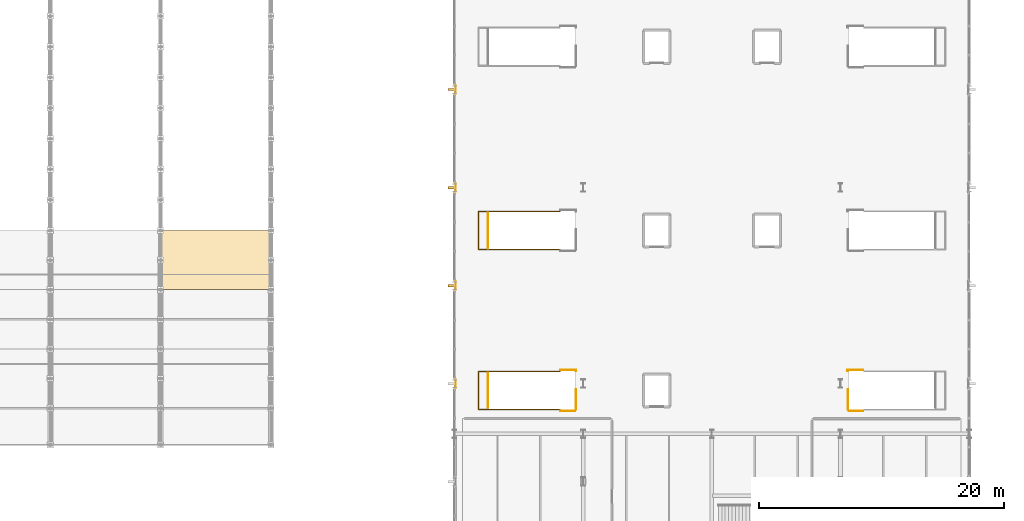
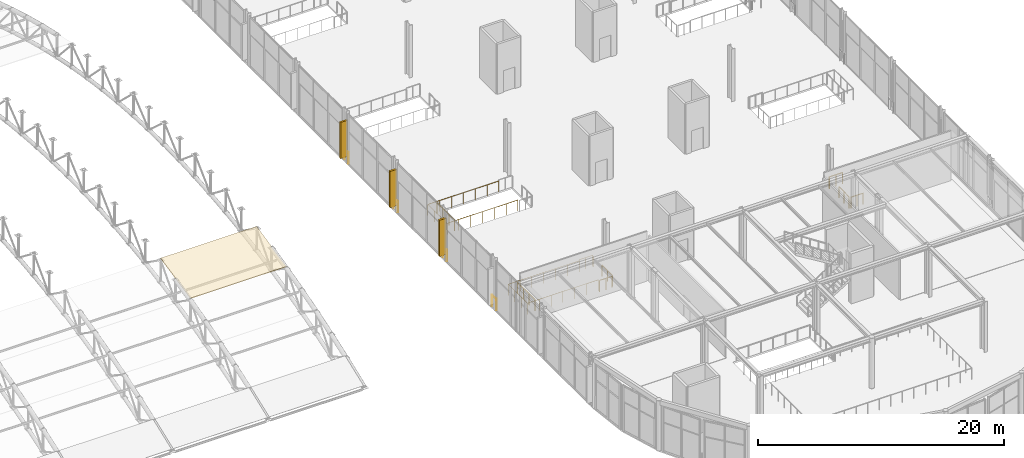
# One storey, part 174 of 195: 14 railings, 3 shading devices, 1 covering.
"""IFC4 building model written with IfcOpenShell, lengths in metres."""

from ifc_helpers import new_model, si_unit, direction, frame, origin, origin_2d, place, context, subcontext, project, spatial, polyline, rectangle, circle, outline, extrude, material, layer, layer_set, type_object, element, save


model = new_model("IFC4")

# Units and contexts
model_context = context("Model", 3, precision=1e-05, world=origin(), true_north=direction((0.0, 1.0)))
body_context = subcontext(model_context, "Body", "Model", "MODEL_VIEW")
ifc_project = project(units=[si_unit("LENGTHUNIT", "METRE"), si_unit("AREAUNIT", "SQUARE_METRE"), si_unit("VOLUMEUNIT", "CUBIC_METRE"), si_unit("PLANEANGLEUNIT", "RADIAN"), si_unit("MASSUNIT", "GRAM", prefix="KILO")], contexts=[model_context])

# Site, building, storey
site_placement = place(None, origin())
site = spatial("IfcSite", under=ifc_project, at=site_placement, CompositionType="ELEMENT")
building_placement = place(site_placement, origin())
building = spatial("IfcBuilding", under=site, at=building_placement, Name="Marlcrest Central Station", CompositionType="ELEMENT")
storey_placement = place(building_placement, frame((0.0, 0.0, 9.800048828125)))
storey = spatial("IfcBuildingStorey", under=building, at=storey_placement, Name="L02", CompositionType="ELEMENT", Elevation=9.800048828125)

# Covering
ifc_material_1 = material(Name="Standing-seam marine-coated aluminium roofing", Category="aluminium")
ifc_layer = layer(ifc_material_1, 0.06494140625, Name="CV-RF2")
ifc_layer_set = layer_set([ifc_layer], Name="Standing-seam marine-coated aluminium roofing")
covering_type = type_object("IfcCoveringType", Name="CV-RF2", PredefinedType="ROOFING", material=ifc_layer_set)
covering_placement = place(storey_placement, frame((63.0, 46.169921875, 4.760009765625), z_axis=(0.0, -0.211209052667, 0.977440911806), x_axis=(1.0, 0.0, 0.0)))
element("IfcCovering", 1, at=covering_placement, inside=storey, type_object=covering_type, Name="cov-shed-0106", PredefinedType="ROOFING", context=body_context, shape_type="SweptSolid", body=[
    extrude(outline(polyline([(0.0, 0.0), (9.0, 0.0), (9.0, 4.941555102371799), (0.0, 4.941555102371799), (0.0, 0.0)])), origin(), (0.0, 0.0, -1.0), 0.06494140625),
])

# Railings
ifc_material_2 = material(Name="Stainless steel and laminated glass concourse balustrade", Category="steel")
railing_type = type_object("IfcRailingType", Name="GR-02", PredefinedType="BALUSTRADE", material=ifc_material_2)
railing_1_placement = place(storey_placement, frame((95.60009765625, 36.39990234375, 0.0)))
element("IfcRailing", 2, at=railing_1_placement, inside=storey, type_object=railing_type, Name="grd-L02-0008", PredefinedType="BALUSTRADE", context=body_context, shape_type="SweptSolid", body=[
    extrude(circle(Radius=0.02392578125, at=origin_2d()), frame((0.0, 0.0, 1.09619140625), z_axis=(-1.0, 0.0, 0.0), x_axis=(0.0, -1.0, 0.0)), (0.0, 0.0, 1.0), 6.650146484375),
    extrude(circle(Radius=0.02392578125, at=origin_2d()), frame((-6.650146484375, 0.0, 1.09619140625), z_axis=(0.0, 1.0, 0.0), x_axis=(-1.0, 0.0, 0.0)), (0.0, 0.0, 1.0), 3.10009765625),
    extrude(circle(Radius=0.02392578125, at=origin_2d()), frame((-6.650146484375, 3.10009765625, 1.09619140625), z_axis=(1.0, 0.0, 0.0), x_axis=(0.0, 1.0, 0.0)), (0.0, 0.0, 1.0), 6.650146484375),
    extrude(circle(Radius=0.02099609375, at=origin_2d()), origin(), (0.0, 0.0, 1.0), 1.072021484375),
    extrude(circle(Radius=0.02099609375, at=origin_2d()), frame((-1.1083984375, 0.0, 0.0)), (0.0, 0.0, 1.0), 1.072021484375),
    extrude(circle(Radius=0.02099609375, at=origin_2d()), frame((-2.216796875, 0.0, 0.0)), (0.0, 0.0, 1.0), 1.072021484375),
    extrude(circle(Radius=0.02099609375, at=origin_2d()), frame((-3.3251953125, 0.0, 0.0)), (0.0, 0.0, 1.0), 1.072021484375),
    extrude(circle(Radius=0.02099609375, at=origin_2d()), frame((-4.433349609375, 0.0, 0.0)), (0.0, 0.0, 1.0), 1.072021484375),
    extrude(circle(Radius=0.02099609375, at=origin_2d()), frame((-5.541748046875, 0.0, 0.0)), (0.0, 0.0, 1.0), 1.072021484375),
    extrude(circle(Radius=0.02099609375, at=origin_2d()), frame((-6.650146484375, 0.0, 0.0)), (0.0, 0.0, 1.0), 1.072021484375),
    extrude(circle(Radius=0.02099609375, at=origin_2d()), frame((-6.650146484375, 1.033447265625, 0.0)), (0.0, 0.0, 1.0), 1.072021484375),
    extrude(circle(Radius=0.02099609375, at=origin_2d()), frame((-6.650146484375, 2.066650390625, 0.0)), (0.0, 0.0, 1.0), 1.072021484375),
    extrude(circle(Radius=0.02099609375, at=origin_2d()), frame((-6.650146484375, 3.10009765625, 0.0)), (0.0, 0.0, 1.0), 1.072021484375),
    extrude(circle(Radius=0.02099609375, at=origin_2d()), frame((-5.541748046875, 3.10009765625, 0.0)), (0.0, 0.0, 1.0), 1.072021484375),
    extrude(circle(Radius=0.02099609375, at=origin_2d()), frame((-4.433349609375, 3.10009765625, 0.0)), (0.0, 0.0, 1.0), 1.072021484375),
    extrude(circle(Radius=0.02099609375, at=origin_2d()), frame((-3.3251953125, 3.10009765625, 0.0)), (0.0, 0.0, 1.0), 1.072021484375),
    extrude(circle(Radius=0.02099609375, at=origin_2d()), frame((-2.216796875, 3.10009765625, 0.0)), (0.0, 0.0, 1.0), 1.072021484375),
    extrude(circle(Radius=0.02099609375, at=origin_2d()), frame((-1.1083984375, 3.10009765625, 0.0)), (0.0, 0.0, 1.0), 1.072021484375),
    extrude(circle(Radius=0.02099609375, at=origin_2d()), frame((0.0, 3.10009765625, 0.0)), (0.0, 0.0, 1.0), 1.072021484375),
])
railing_2_placement = place(storey_placement, frame((95.60009765625, 49.449951171875, 0.0)))
element("IfcRailing", 3, at=railing_2_placement, inside=storey, type_object=railing_type, Name="grd-L02-0010", PredefinedType="BALUSTRADE", context=body_context, shape_type="SweptSolid", body=[
    extrude(circle(Radius=0.02392578125, at=origin_2d()), frame((0.0, 0.0, 1.09619140625), z_axis=(-1.0, 0.0, 0.0), x_axis=(0.0, -1.0, 0.0)), (0.0, 0.0, 1.0), 6.650146484375),
    extrude(circle(Radius=0.02392578125, at=origin_2d()), frame((-6.650146484375, 0.0, 1.09619140625), z_axis=(0.0, 1.0, 0.0), x_axis=(-1.0, 0.0, 0.0)), (0.0, 0.0, 1.0), 3.10009765625),
    extrude(circle(Radius=0.02392578125, at=origin_2d()), frame((-6.650146484375, 3.10009765625, 1.09619140625), z_axis=(1.0, 0.0, 0.0), x_axis=(0.0, 1.0, 0.0)), (0.0, 0.0, 1.0), 6.650146484375),
    extrude(circle(Radius=0.02099609375, at=origin_2d()), origin(), (0.0, 0.0, 1.0), 1.072021484375),
    extrude(circle(Radius=0.02099609375, at=origin_2d()), frame((-1.1083984375, 0.0, 0.0)), (0.0, 0.0, 1.0), 1.072021484375),
    extrude(circle(Radius=0.02099609375, at=origin_2d()), frame((-2.216796875, 0.0, 0.0)), (0.0, 0.0, 1.0), 1.072021484375),
    extrude(circle(Radius=0.02099609375, at=origin_2d()), frame((-3.3251953125, 0.0, 0.0)), (0.0, 0.0, 1.0), 1.072021484375),
    extrude(circle(Radius=0.02099609375, at=origin_2d()), frame((-4.433349609375, 0.0, 0.0)), (0.0, 0.0, 1.0), 1.072021484375),
    extrude(circle(Radius=0.02099609375, at=origin_2d()), frame((-5.541748046875, 0.0, 0.0)), (0.0, 0.0, 1.0), 1.072021484375),
    extrude(circle(Radius=0.02099609375, at=origin_2d()), frame((-6.650146484375, 0.0, 0.0)), (0.0, 0.0, 1.0), 1.072021484375),
    extrude(circle(Radius=0.02099609375, at=origin_2d()), frame((-6.650146484375, 1.033447265625, 0.0)), (0.0, 0.0, 1.0), 1.072021484375),
    extrude(circle(Radius=0.02099609375, at=origin_2d()), frame((-6.650146484375, 2.066650390625, 0.0)), (0.0, 0.0, 1.0), 1.072021484375),
    extrude(circle(Radius=0.02099609375, at=origin_2d()), frame((-6.650146484375, 3.10009765625, 0.0)), (0.0, 0.0, 1.0), 1.072021484375),
    extrude(circle(Radius=0.02099609375, at=origin_2d()), frame((-5.541748046875, 3.10009765625, 0.0)), (0.0, 0.0, 1.0), 1.072021484375),
    extrude(circle(Radius=0.02099609375, at=origin_2d()), frame((-4.433349609375, 3.10009765625, 0.0)), (0.0, 0.0, 1.0), 1.072021484375),
    extrude(circle(Radius=0.02099609375, at=origin_2d()), frame((-3.3251953125, 3.10009765625, 0.0)), (0.0, 0.0, 1.0), 1.072021484375),
    extrude(circle(Radius=0.02099609375, at=origin_2d()), frame((-2.216796875, 3.10009765625, 0.0)), (0.0, 0.0, 1.0), 1.072021484375),
    extrude(circle(Radius=0.02099609375, at=origin_2d()), frame((-1.1083984375, 3.10009765625, 0.0)), (0.0, 0.0, 1.0), 1.072021484375),
    extrude(circle(Radius=0.02099609375, at=origin_2d()), frame((0.0, 3.10009765625, 0.0)), (0.0, 0.0, 1.0), 1.072021484375),
])
for number, where, name in (
    (4, (96.89990234375, 36.3798828125, 0.0), "hr-L02-00017"),
    (5, (119.10009765625, 36.3798828125, 0.0), "hr-L02-00034"),
):
    element("IfcRailing", number, at=place(storey_placement, frame(where)), inside=storey, type_object=railing_type, Name=name, PredefinedType="BALUSTRADE", context=body_context, shape_type="SweptSolid", body=[
        extrude(circle(Radius=0.02392578125, at=origin_2d()), frame((0.0, 0.0, 1.09619140625), z_axis=(0.0, 1.0, 0.0), x_axis=(-1.0, 0.0, 0.0)), (0.0, 0.0, 1.0), 1.650146484375),
        extrude(circle(Radius=0.02099609375, at=origin_2d()), origin(), (0.0, 0.0, 1.0), 1.072021484375),
        extrude(circle(Radius=0.02099609375, at=origin_2d()), frame((0.0, 0.8251953125, 0.0)), (0.0, 0.0, 1.0), 1.072021484375),
        extrude(circle(Radius=0.02099609375, at=origin_2d()), frame((0.0, 1.650146484375, 0.0)), (0.0, 0.0, 1.0), 1.072021484375),
    ])
for number, where, name in (
    (6, (87.06005859375, 38.159912109375, 0.0), "hr-L02-00475"),
    (7, (87.06005859375, 46.159912109375, 0.0), "hr-L02-00476"),
    (8, (87.06005859375, 54.159912109375, 0.0), "hr-L02-00477"),
    (9, (87.06005859375, 62.159912109375, 0.0), "hr-L02-00478"),
):
    element("IfcRailing", number, at=place(storey_placement, frame(where)), inside=storey, type_object=railing_type, Name=name, PredefinedType="BALUSTRADE", context=body_context, shape_type="SweptSolid", body=[
        extrude(circle(Radius=0.02392578125, at=origin_2d()), frame((0.0, 0.0, 1.09619140625), z_axis=(0.0, 1.0, 0.0), x_axis=(-1.0, 0.0, 0.0)), (0.0, 0.0, 1.0), 0.68017578125),
        extrude(circle(Radius=0.02099609375, at=origin_2d()), origin(), (0.0, 0.0, 1.0), 1.072021484375),
        extrude(circle(Radius=0.02099609375, at=origin_2d()), frame((0.0, 0.68017578125, 0.0)), (0.0, 0.0, 1.0), 1.072021484375),
    ])
railing_3_placement = place(storey_placement, frame((119.18603515625, 36.27001953125, 0.0)))
element("IfcRailing", 10, at=railing_3_placement, inside=storey, type_object=railing_type, Name="hr-L02-00540", PredefinedType="BALUSTRADE", context=body_context, shape_type="SweptSolid", body=[
    extrude(circle(Radius=0.02392578125, at=origin_2d()), frame((0.0, 0.0, 1.09619140625), z_axis=(1.0, 0.0, 0.0), x_axis=(0.0, 1.0, 0.0)), (0.0, 0.0, 1.0), 1.161865234375),
    extrude(circle(Radius=0.02099609375, at=origin_2d()), origin(), (0.0, 0.0, 1.0), 1.072021484375),
    extrude(circle(Radius=0.02099609375, at=origin_2d()), frame((0.5810546875, 0.0, 0.0)), (0.0, 0.0, 1.0), 1.072021484375),
    extrude(circle(Radius=0.02099609375, at=origin_2d()), frame((1.161865234375, 0.0, 0.0)), (0.0, 0.0, 1.0), 1.072021484375),
])
railing_4_placement = place(storey_placement, frame((120.347900390625, 39.6298828125, 0.0)))
element("IfcRailing", 11, at=railing_4_placement, inside=storey, type_object=railing_type, Name="hr-L02-00542", PredefinedType="BALUSTRADE", context=body_context, shape_type="SweptSolid", body=[
    extrude(circle(Radius=0.02392578125, at=origin_2d()), frame((0.0, 0.0, 1.09619140625), z_axis=(-1.0, 0.0, 0.0), x_axis=(0.0, -1.0, 0.0)), (0.0, 0.0, 1.0), 1.2578125),
    extrude(circle(Radius=0.02392578125, at=origin_2d()), frame((-1.2578125, 0.0, 1.09619140625), z_axis=(0.0, -1.0, 0.0), x_axis=(1.0, 0.0, 0.0)), (0.0, 0.0, 1.0), 0.10986328125),
    extrude(circle(Radius=0.02099609375, at=origin_2d()), origin(), (0.0, 0.0, 1.0), 1.072021484375),
    extrude(circle(Radius=0.02099609375, at=origin_2d()), frame((-0.62890625, 0.0, 0.0)), (0.0, 0.0, 1.0), 1.072021484375),
    extrude(circle(Radius=0.02099609375, at=origin_2d()), frame((-1.2578125, 0.0, 0.0)), (0.0, 0.0, 1.0), 1.072021484375),
    extrude(circle(Radius=0.02099609375, at=origin_2d()), frame((-1.2578125, -0.10986328125, 0.0)), (0.0, 0.0, 1.0), 1.072021484375),
])
railing_5_placement = place(storey_placement, frame((89.739990234375, 52.409912109375, 0.0)))
element("IfcRailing", 12, at=railing_5_placement, inside=storey, type_object=railing_type, Name="hr-L02-00561", PredefinedType="BALUSTRADE", context=body_context, shape_type="SweptSolid", body=[
    extrude(circle(Radius=0.02392578125, at=origin_2d()), frame((0.0, 0.0, 1.09619140625), z_axis=(0.0, -1.0, 0.0), x_axis=(1.0, 0.0, 0.0)), (0.0, 0.0, 1.0), 2.81982421875),
    extrude(circle(Radius=0.02099609375, at=origin_2d()), origin(), (0.0, 0.0, 1.0), 1.072021484375),
    extrude(circle(Radius=0.02099609375, at=origin_2d()), frame((0.0, -0.93994140625, 0.0)), (0.0, 0.0, 1.0), 1.072021484375),
    extrude(circle(Radius=0.02099609375, at=origin_2d()), frame((0.0, -1.8798828125, 0.0)), (0.0, 0.0, 1.0), 1.072021484375),
    extrude(circle(Radius=0.02099609375, at=origin_2d()), frame((0.0, -2.81982421875, 0.0)), (0.0, 0.0, 1.0), 1.072021484375),
])
railing_6_placement = place(storey_placement, frame((95.652099609375, 36.27001953125, 0.0)))
element("IfcRailing", 13, at=railing_6_placement, inside=storey, type_object=railing_type, Name="hr-L02-00562", PredefinedType="BALUSTRADE", context=body_context, shape_type="SweptSolid", body=[
    extrude(circle(Radius=0.02392578125, at=origin_2d()), frame((0.0, 0.0, 1.09619140625), z_axis=(1.0, 0.0, 0.0), x_axis=(0.0, 1.0, 0.0)), (0.0, 0.0, 1.0), 1.161865234375),
    extrude(circle(Radius=0.02099609375, at=origin_2d()), origin(), (0.0, 0.0, 1.0), 1.072021484375),
    extrude(circle(Radius=0.02099609375, at=origin_2d()), frame((0.5810546875, 0.0, 0.0)), (0.0, 0.0, 1.0), 1.072021484375),
    extrude(circle(Radius=0.02099609375, at=origin_2d()), frame((1.161865234375, 0.0, 0.0)), (0.0, 0.0, 1.0), 1.072021484375),
])
railing_7_placement = place(storey_placement, frame((96.909912109375, 39.52001953125, 0.0)))
element("IfcRailing", 14, at=railing_7_placement, inside=storey, type_object=railing_type, Name="hr-L02-00563", PredefinedType="BALUSTRADE", context=body_context, shape_type="SweptSolid", body=[
    extrude(circle(Radius=0.02392578125, at=origin_2d()), frame((0.0, 0.0, 1.09619140625), z_axis=(0.0, 1.0, 0.0), x_axis=(-1.0, 0.0, 0.0)), (0.0, 0.0, 1.0), 0.10986328125),
    extrude(circle(Radius=0.02392578125, at=origin_2d()), frame((0.0, 0.10986328125, 1.09619140625), z_axis=(-1.0, 0.0, 0.0), x_axis=(0.0, -1.0, 0.0)), (0.0, 0.0, 1.0), 1.2578125),
    extrude(circle(Radius=0.02099609375, at=origin_2d()), origin(), (0.0, 0.0, 1.0), 1.072021484375),
    extrude(circle(Radius=0.02099609375, at=origin_2d()), frame((0.0, 0.10986328125, 0.0)), (0.0, 0.0, 1.0), 1.072021484375),
    extrude(circle(Radius=0.02099609375, at=origin_2d()), frame((-0.62890625, 0.10986328125, 0.0)), (0.0, 0.0, 1.0), 1.072021484375),
    extrude(circle(Radius=0.02099609375, at=origin_2d()), frame((-1.2578125, 0.10986328125, 0.0)), (0.0, 0.0, 1.0), 1.072021484375),
])
railing_8_placement = place(storey_placement, frame((89.739990234375, 39.360107421875, 0.0)))
element("IfcRailing", 15, at=railing_8_placement, inside=storey, type_object=railing_type, Name="hr-L02-00564", PredefinedType="BALUSTRADE", context=body_context, shape_type="SweptSolid", body=[
    extrude(circle(Radius=0.02392578125, at=origin_2d()), frame((0.0, 0.0, 1.09619140625), z_axis=(0.0, -1.0, 0.0), x_axis=(1.0, 0.0, 0.0)), (0.0, 0.0, 1.0), 2.820068359375),
    extrude(circle(Radius=0.02099609375, at=origin_2d()), origin(), (0.0, 0.0, 1.0), 1.072021484375),
    extrude(circle(Radius=0.02099609375, at=origin_2d()), frame((0.0, -0.93994140625, 0.0)), (0.0, 0.0, 1.0), 1.072021484375),
    extrude(circle(Radius=0.02099609375, at=origin_2d()), frame((0.0, -1.880126953125, 0.0)), (0.0, 0.0, 1.0), 1.072021484375),
    extrude(circle(Radius=0.02099609375, at=origin_2d()), frame((0.0, -2.820068359375, 0.0)), (0.0, 0.0, 1.0), 1.072021484375),
])

# Shading devices
ifc_material_3 = material(Name="Precast concrete C40/50", Category="concrete")
shading_device_type = type_object("IfcShadingDeviceType", Name="SD-BS1", PredefinedType="USERDEFINED", material=ifc_material_3)
for number, where, z_axis, x_axis, name in (
    (16, (86.800048828125, 46.5, 0.5), (0.0, 0.0, 1.0), (0.0, 1.0, 0.0), "shd-L02-0007"),
    (17, (86.800048828125, 54.5, 0.5), (0.0, 0.0, 1.0), (0.0, 1.0, 0.0), "shd-L02-0009"),
    (18, (86.800048828125, 62.5, 0.5), (0.0, 0.0, 1.0), (0.0, 1.0, 0.0), "shd-L02-0011"),
):
    element("IfcShadingDevice", number, at=place(storey_placement, frame(where, z_axis=z_axis, x_axis=x_axis)), inside=storey, type_object=shading_device_type, Name=name, ObjectType="BRISE_SOLEIL", PredefinedType="USERDEFINED", context=body_context, shape_type="SweptSolid", body=[
        extrude(rectangle(XDim=0.179931640625, YDim=0.64990234375, at=origin_2d()), origin(), (0.0, 0.0, 1.0), 3.60009765625),
    ])

save(model, "model.ifc")
